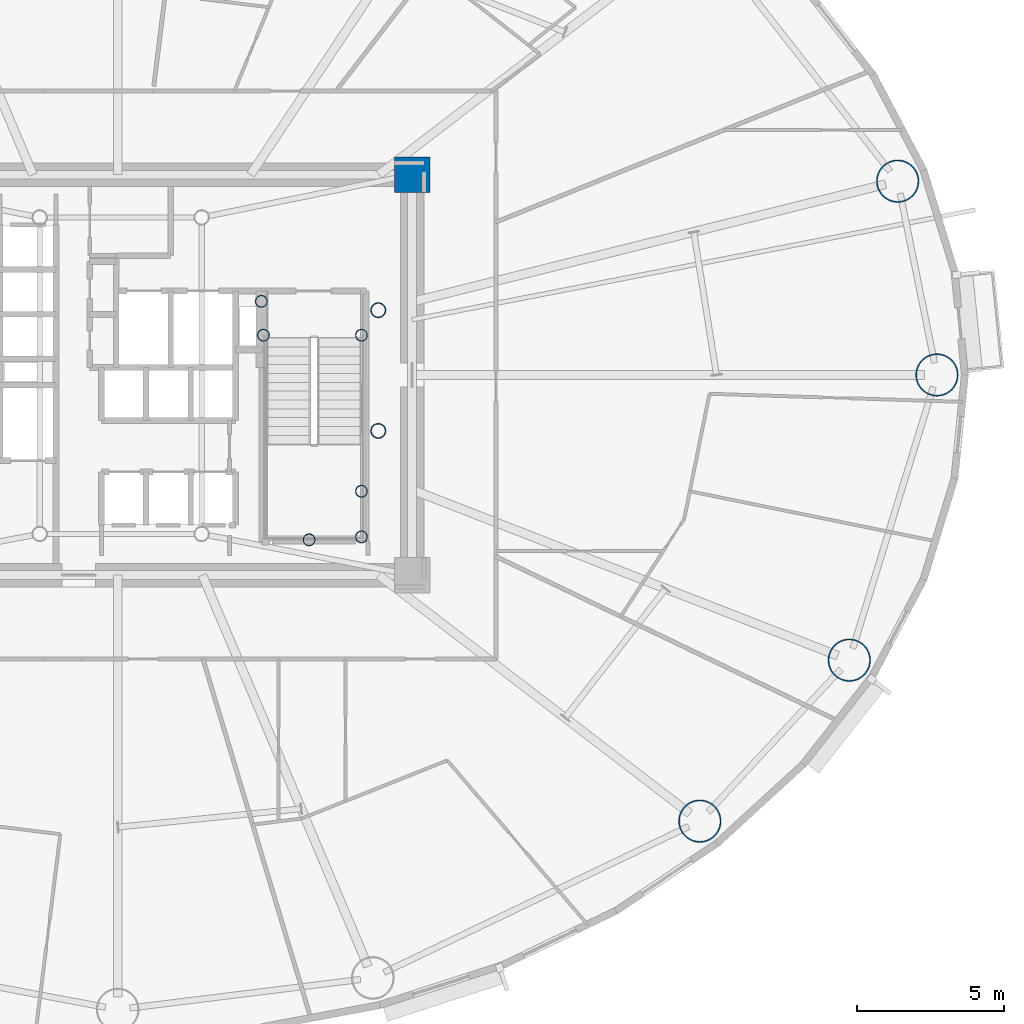
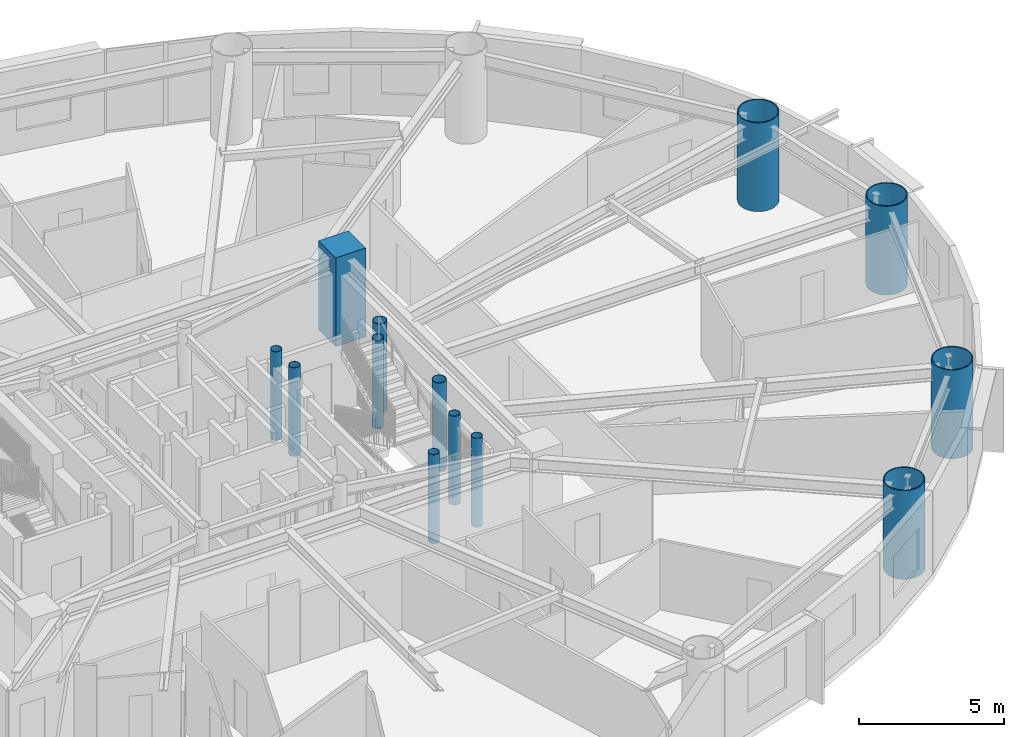
# One storey, part 2 of 21: 13 columns.
"""IFC4 building model written with IfcOpenShell, lengths in metres."""

from ifc_helpers import new_model, si_unit, direction, frame, origin, origin_2d, place, context, subcontext, project, spatial, rectangle, hollow_circle, extrude, material, material_profile, profile_set, type_object, element, save


model = new_model("IFC4")

# Units and contexts
model_context = context("Model", 3, precision=1e-05, world=origin(), true_north=direction((0.0, 1.0)))
body_context = subcontext(model_context, "Body", "Model", "MODEL_VIEW")
ifc_project = project(units=[si_unit("LENGTHUNIT", "METRE"), si_unit("AREAUNIT", "SQUARE_METRE"), si_unit("VOLUMEUNIT", "CUBIC_METRE"), si_unit("PLANEANGLEUNIT", "RADIAN"), si_unit("MASSUNIT", "GRAM", prefix="KILO")], contexts=[model_context])

# Site, building, storey
site_placement = place(None, origin())
site = spatial("IfcSite", under=ifc_project, at=site_placement, CompositionType="ELEMENT")
building_placement = place(site_placement, origin())
building = spatial("IfcBuilding", under=site, at=building_placement, Name="Linh Dai School and Residence Tower", CompositionType="ELEMENT")
storey_placement = place(building_placement, frame((0.0, 0.0, 97.199951171875)))
storey = spatial("IfcBuildingStorey", under=building, at=storey_placement, Name="L22", CompositionType="ELEMENT", Elevation=97.199951171875)

# Columns
ifc_material_1 = material(Name="Concrete B60 (C50/60)", Category="concrete")
ifc_material_profile_1 = material_profile(ifc_material_1, rectangle(XDim=1.199951171875, YDim=1.199951171875, at=origin_2d()), Name="RC 1200x1200")
ifc_profile_set_1 = profile_set([ifc_material_profile_1], Name="Concrete B60 (C50/60)")
column_type_1 = type_object("IfcColumnType", Name="COL-CC2", PredefinedType="COLUMN", material=ifc_profile_set_1)
column_placement = place(storey_placement, frame((46.0, 33.800048828125, 0.0), z_axis=(0.0, 0.0, 1.0), x_axis=(1.0, 0.0, 0.0)))
element("IfcColumn", 1, at=column_placement, inside=storey, type_object=column_type_1, Name="L22 Core Corner Pier CC3", PredefinedType="COLUMN", context=body_context, shape_type="SweptSolid", body=[
    extrude(rectangle(XDim=1.199951171875, YDim=1.199951171875, at=origin_2d()), origin(), (0.0, 0.0, 1.0), 3.75),
])
ifc_material_2 = material(Name="Structural Steel S355JR", Category="steel")
ifc_material_profile_2 = material_profile(ifc_material_2, hollow_circle(Radius=0.203125, WallThickness=0.01611328125, at=origin_2d()), Name="CHS 406.4x16")
ifc_profile_set_2 = profile_set([ifc_material_profile_2], Name="Structural Steel S355JR")
column_type_2 = type_object("IfcColumnType", Name="COL-EC", PredefinedType="COLUMN", material=ifc_profile_set_2)
for number, where, z_axis, x_axis, name in (
    (2, (44.280029296875, 21.5, 0.0), (0.0, 0.0, 1.0), (1.0, 0.0, 0.0), "L22 Stair Shaft Landing Support Pier ST2SE"),
    (3, (44.280029296875, 23.050048828125, 0.0), (0.0, 0.0, 1.0), (1.0, 0.0, 0.0), "L22 Stair Shaft Landing Support Pier ST2NE"),
    (4, (42.5, 21.39990234375, 0.0), (0.0, 0.0, 1.0), (1.0, 0.0, 0.0), "L22 Stair Shaft Landing Support Pier ST2MS"),
    (5, (40.949951171875, 28.35009765625, 0.0), (0.0, 0.0, 1.0), (1.0, 0.0, 0.0), "L22 Stair Shaft Landing Support Pier ST2N1"),
    (6, (44.280029296875, 28.35009765625, 0.0), (0.0, 0.0, 1.0), (1.0, 0.0, 0.0), "L22 Stair Shaft Landing Support Pier ST2N2"),
    (7, (40.8798828125, 29.5, 0.0), (0.0, 0.0, 1.0), (1.0, 0.0, 0.0), "L22 Stair Shaft Landing Support Pier ST2N3"),
):
    element("IfcColumn", number, at=place(storey_placement, frame(where, z_axis=z_axis, x_axis=x_axis)), inside=storey, type_object=column_type_2, Name=name, PredefinedType="COLUMN", context=body_context, shape_type="SweptSolid", body=[
        extrude(hollow_circle(Radius=0.203125, WallThickness=0.01611328125, at=origin_2d()), origin(), (0.0, 0.0, 1.0), 3.75),
    ])
ifc_material_profile_3 = material_profile(ifc_material_2, hollow_circle(Radius=0.72509765625, WallThickness=0.0419921875, at=origin_2d()), Name="CHS 1450x42")
ifc_profile_set_3 = profile_set([ifc_material_profile_3], Name="Structural Steel S355JR")
column_type_3 = type_object("IfcColumnType", Name="COL-MC3", PredefinedType="COLUMN", material=ifc_profile_set_3)
for number, where, z_axis, x_axis, name in (
    (8, (63.824951171875, 27.0, 0.0), (0.0, 0.0, 1.0), (1.0, 0.0, 0.0), "L22 Perimeter CFT Mega-Column MC01"),
    (9, (62.49267578125, 33.5810546875, 0.0), (0.0, 0.0, 1.0), (1.0, 0.0, 0.0), "L22 Perimeter CFT Mega-Column MC02"),
    (10, (55.772705078125, 11.844482421875, 0.0), (0.0, 0.0, 1.0), (1.0, 0.0, 0.0), "L22 Perimeter CFT Mega-Column MC15"),
    (11, (60.84912109375, 17.3125, 0.0), (0.0, 0.0, 1.0), (1.0, 0.0, 0.0), "L22 Perimeter CFT Mega-Column MC16"),
):
    element("IfcColumn", number, at=place(storey_placement, frame(where, z_axis=z_axis, x_axis=x_axis)), inside=storey, type_object=column_type_3, Name=name, PredefinedType="COLUMN", context=body_context, shape_type="SweptSolid", body=[
        extrude(hollow_circle(Radius=0.72509765625, WallThickness=0.0419921875, at=origin_2d()), origin(), (0.0, 0.0, 1.0), 3.75),
    ])
ifc_material_profile_4 = material_profile(ifc_material_2, hollow_circle(Radius=0.25390625, WallThickness=0.02001953125, at=origin_2d()), Name="CHS 508x20")
ifc_profile_set_4 = profile_set([ifc_material_profile_4], Name="Structural Steel S355JR")
column_type_4 = type_object("IfcColumnType", Name="COL-MCP", PredefinedType="COLUMN", material=ifc_profile_set_4)
for number, where, z_axis, x_axis, name in (
    (12, (44.85009765625, 25.10009765625, 0.0), (0.0, 0.0, 1.0), (1.0, 0.0, 0.0), "L22 Sky-Lounge Core Anchor Pier S"),
    (13, (44.85009765625, 29.199951171875, 0.0), (0.0, 0.0, 1.0), (1.0, 0.0, 0.0), "L22 Sky-Lounge Core Anchor Pier N"),
):
    element("IfcColumn", number, at=place(storey_placement, frame(where, z_axis=z_axis, x_axis=x_axis)), inside=storey, type_object=column_type_4, Name=name, PredefinedType="COLUMN", context=body_context, shape_type="SweptSolid", body=[
        extrude(hollow_circle(Radius=0.25390625, WallThickness=0.02001953125, at=origin_2d()), origin(), (0.0, 0.0, 1.0), 3.75),
    ])

save(model, "model.ifc")
